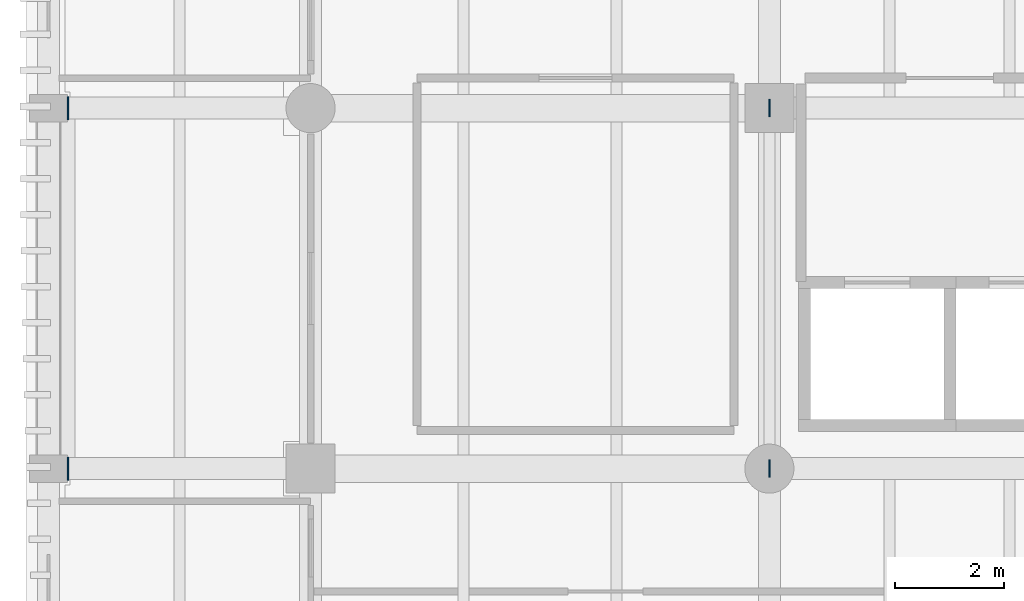
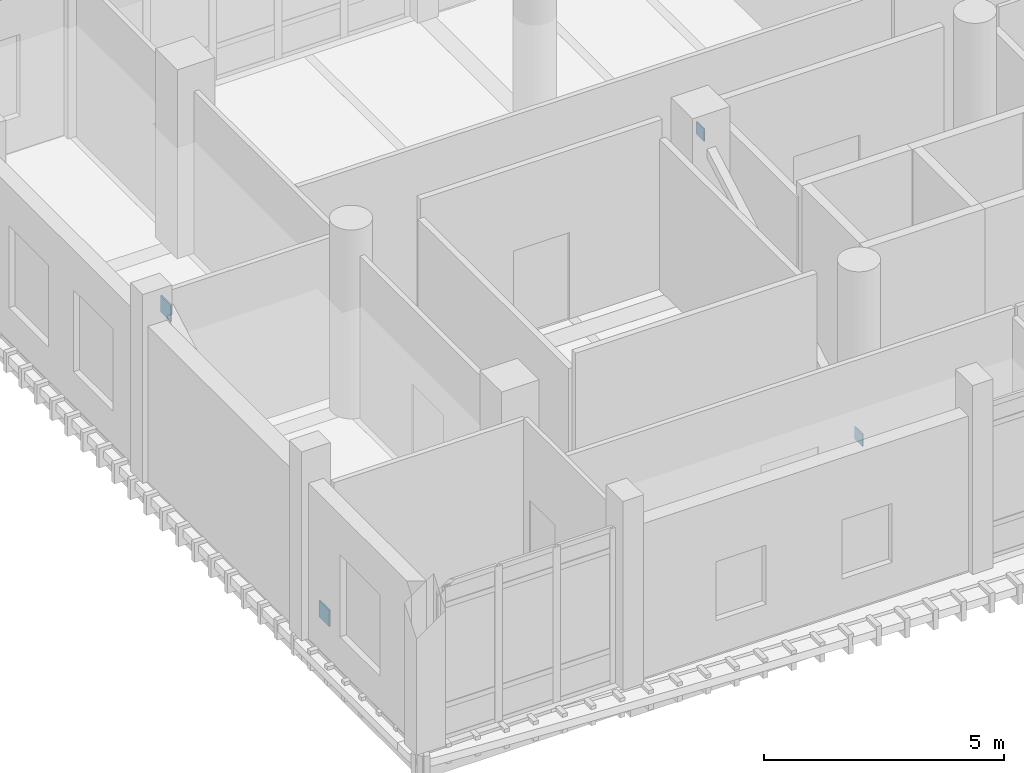
# One storey, part 62 of 101: 4 plates.
"""IFC4 building model written with IfcOpenShell, lengths in metres."""

from ifc_helpers import new_model, si_unit, direction, frame, origin, origin_2d, place, context, subcontext, project, spatial, rectangle, extrude, material, layer, layer_set, type_object, element, save


model = new_model("IFC4")

# Units and contexts
model_context = context("Model", 3, precision=1e-05, world=origin(), true_north=direction((0.0, 1.0)))
body_context = subcontext(model_context, "Body", "Model", "MODEL_VIEW")
ifc_project = project(units=[si_unit("LENGTHUNIT", "METRE"), si_unit("AREAUNIT", "SQUARE_METRE"), si_unit("VOLUMEUNIT", "CUBIC_METRE"), si_unit("PLANEANGLEUNIT", "RADIAN"), si_unit("MASSUNIT", "GRAM", prefix="KILO")], contexts=[model_context])

# Site, building, storey
site_placement = place(None, origin())
site = spatial("IfcSite", under=ifc_project, at=site_placement, CompositionType="ELEMENT")
building_placement = place(site_placement, origin())
building = spatial("IfcBuilding", under=site, at=building_placement, Name="Dornvale Research Institute", CompositionType="ELEMENT")
storey_placement = place(building_placement, frame((0.0, 0.0, 10.199951171875)))
storey = spatial("IfcBuildingStorey", under=building, at=storey_placement, Name="L02", CompositionType="ELEMENT", Elevation=10.199951171875)

# Plates
ifc_material_1 = material(Name="Steel ASTM A572 Grade 50", Category="steel")
ifc_layer_1 = layer(ifc_material_1, 0.02490234375)
ifc_layer_set_1 = layer_set([ifc_layer_1], Name="Steel ASTM A572 Grade 50")
plate_type_1 = type_object("IfcPlateType", Name="SheetPlate_EndCap_25", PredefinedType="SHEET", material=ifc_layer_set_1)
for number, where, z_axis, x_axis, name in (
    (1, (13.199951171875, 103.800048828125, 0.14013671875), (0.0, 0.0, 1.0), (0.0, 1.0, 0.0), "HSS brace node gusset and cap plate ND-029"),
    (2, (13.199951171875, 110.39990234375, 3.89013671875), (0.0, 0.0, 1.0), (0.0, 1.0, 0.0), "HSS brace node gusset and cap plate ND-030"),
):
    element("IfcPlate", number, at=place(storey_placement, frame(where, z_axis=z_axis, x_axis=x_axis)), inside=storey, type_object=plate_type_1, Name=name, PredefinedType="SHEET", context=body_context, shape_type="SweptSolid", body=[
        extrude(rectangle(XDim=0.320068359375, YDim=0.02490234375, at=origin_2d()), origin(), (0.0, 0.0, 1.0), 0.320068359375),
    ])
ifc_material_2 = material(Name="Steel ASTM A572 Grade 50", Category="steel")
ifc_layer_2 = layer(ifc_material_2, 0.031982421875)
ifc_layer_set_2 = layer_set([ifc_layer_2], Name="Steel ASTM A572 Grade 50")
plate_type_2 = type_object("IfcPlateType", Name="SheetPlate_Gusset_32", PredefinedType="SHEET", material=ifc_layer_set_2)
for number, where, z_axis, x_axis, name in (
    (3, (0.360107421875, 103.800048828125, 0.090087890625), (0.0, 0.0, 1.0), (0.0, 1.0, 0.0), "HSS brace node gusset and cap plate ND-019"),
    (4, (0.360107421875, 110.39990234375, 3.840087890625), (0.0, 0.0, 1.0), (0.0, 1.0, 0.0), "HSS brace node gusset and cap plate ND-020"),
):
    element("IfcPlate", number, at=place(storey_placement, frame(where, z_axis=z_axis, x_axis=x_axis)), inside=storey, type_object=plate_type_2, Name=name, PredefinedType="SHEET", context=body_context, shape_type="SweptSolid", body=[
        extrude(rectangle(XDim=0.419921875, YDim=0.031982421875, at=origin_2d()), origin(), (0.0, 0.0, 1.0), 0.419921875),
    ])

save(model, "model.ifc")
